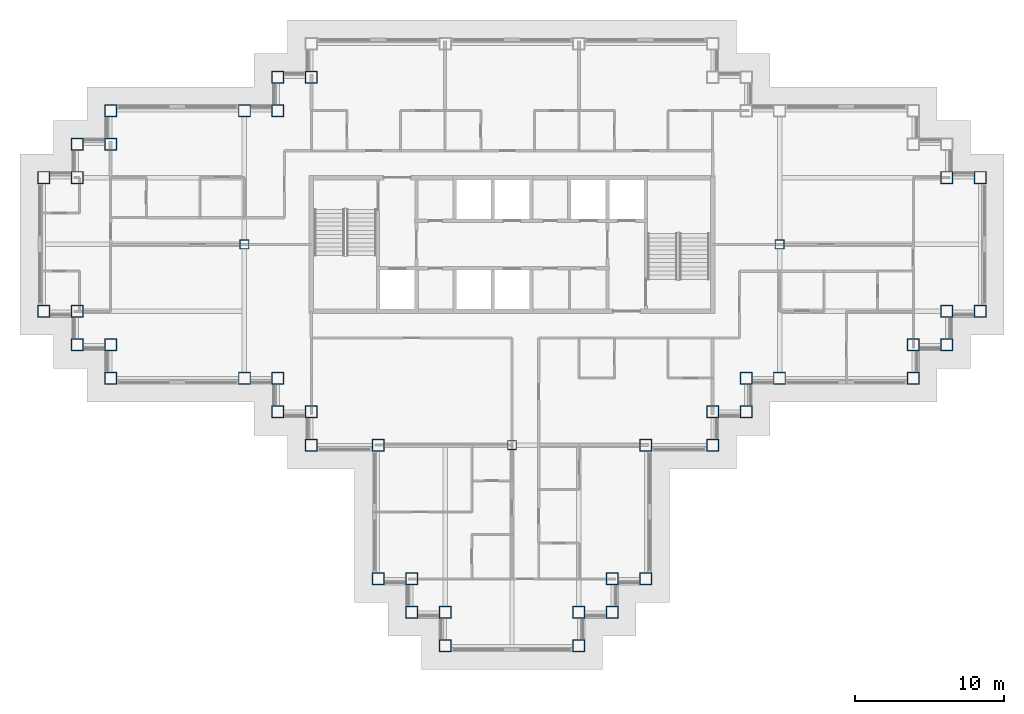
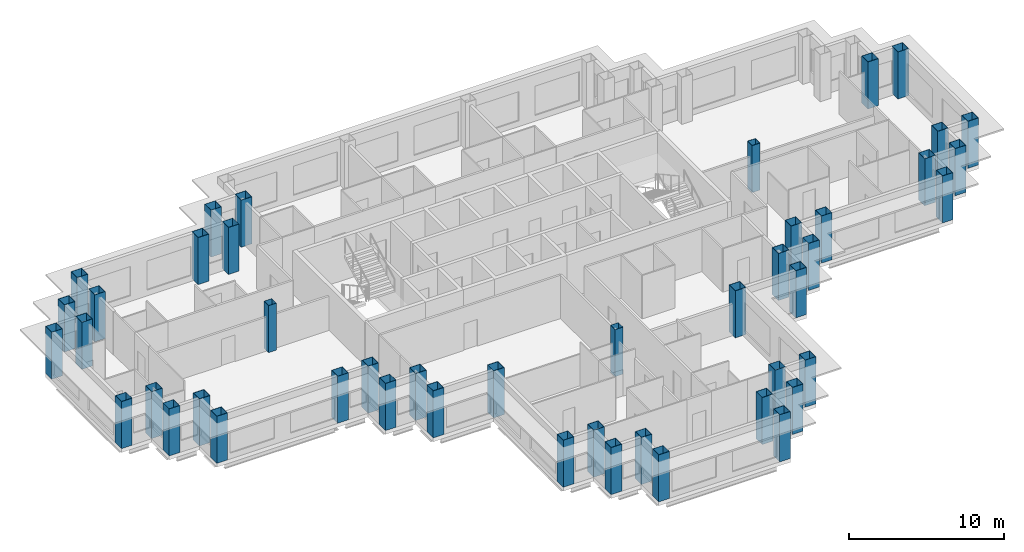
# One storey, part 1 of 13: 46 columns.
"""IFC4 building model written with IfcOpenShell, lengths in metres."""

import ifcopenshell
import ifcopenshell.guid

model = None  # the IFC model being written
_history = None  # IfcOwnerHistory: only IFC2X3 demands one
_inside = {}  # id of a spatial element -> (the spatial element, [elements in it])
_under = {}  # id of a project, library or spatial element -> (it, [spatial elements below it])
_declared = {}  # id of a project -> (the project, [libraries it declares])
_typed = {}  # id of a type object -> (the type object, [elements of that type])
_made_of = {}  # id of a material, layer set ... -> (it, [elements and type objects made of it])


def new_model(schema):
    """Start an empty IFC model of exactly this schema.

    Asked for "IFC4X3", IfcOpenShell would pick the latest addendum, in which some entities
    have other attributes; the version numbers below select the first issue.
    IFC2X3 requires an IfcOwnerHistory on every rooted entity: one is made here for all.
    """
    global model, _history
    if schema == "IFC4X3":
        model = ifcopenshell.file(schema_version=(4, 3, 0, 0))
    else:
        model = ifcopenshell.file(schema=schema)
    _inside.clear()
    _under.clear()
    _declared.clear()
    _typed.clear()
    _made_of.clear()
    _history = None
    if model.schema == "IFC2X3":
        org = make("IfcOrganization", Name="unknown")
        user = make(
            "IfcPersonAndOrganization",
            ThePerson=make("IfcPerson", FamilyName="unknown"),
            TheOrganization=org,
        )
        app = make(
            "IfcApplication",
            ApplicationDeveloper=org,
            Version="unknown",
            ApplicationFullName="unknown",
            ApplicationIdentifier="unknown",
        )
        _history = make(
            "IfcOwnerHistory",
            OwningUser=user,
            OwningApplication=app,
            ChangeAction="ADDED",
            CreationDate=0,
        )
    return model


def make(cls, **values):
    """One entity of the class cls with the attributes given. An attribute that is None is left unset."""
    return model.create_entity(
        cls, **{name: value for name, value in values.items() if value is not None}
    )


def rooted(cls, **values):
    """An entity with a GlobalId (a new one), such as an element, a storey or a relation."""
    return make(cls, GlobalId=ifcopenshell.guid.new(), OwnerHistory=_history, **values)


def si_unit(unit_type, name, prefix=None):
    """IfcSIUnit, for example si_unit("LENGTHUNIT", "METRE", prefix="MILLI")."""
    return make("IfcSIUnit", UnitType=unit_type, Prefix=prefix, Name=name)


def assignment(units):
    """IfcUnitAssignment: the units of a project."""
    return None if units is None else make("IfcUnitAssignment", Units=units)


def point(xyz):
    """IfcCartesianPoint."""
    return None if xyz is None else make("IfcCartesianPoint", Coordinates=xyz)


def direction(xyz):
    """IfcDirection."""
    return None if xyz is None else make("IfcDirection", DirectionRatios=xyz)


def frame(location, z_axis=None, x_axis=None):
    """IfcAxis2Placement3D, a coordinate frame: its origin and axes. An axis left out is left unset."""
    return make(
        "IfcAxis2Placement3D",
        Location=point(location),
        Axis=direction(z_axis),
        RefDirection=direction(x_axis),
    )


def frame_2d(location, x_axis=None):
    """IfcAxis2Placement2D, a coordinate frame in the plane: its origin and x axis."""
    return make(
        "IfcAxis2Placement2D", Location=point(location), RefDirection=direction(x_axis)
    )


def origin():
    """The frame at (0, 0, 0) with its axes left unset."""
    return frame((0.0, 0.0, 0.0))


def origin_2d():
    """The frame at (0, 0) in the plane with its x axis left unset."""
    return frame_2d((0.0, 0.0))


def place(relative_to, where):
    """IfcLocalPlacement: puts the frame where relative to a parent placement (None: the world)."""
    return make(
        "IfcLocalPlacement", PlacementRelTo=relative_to, RelativePlacement=where
    )


def context(
    kind, dimensions, precision=None, world=None, true_north=None, identifier=None
):
    """IfcGeometricRepresentationContext, for example the 3D "Model" context."""
    return make(
        "IfcGeometricRepresentationContext",
        ContextIdentifier=identifier,
        ContextType=kind,
        CoordinateSpaceDimension=dimensions,
        Precision=precision,
        WorldCoordinateSystem=world,
        TrueNorth=true_north,
    )


def subcontext(parent, identifier, kind, view, scale=None):
    """IfcGeometricRepresentationSubContext, for example "Body" below "Model"."""
    return make(
        "IfcGeometricRepresentationSubContext",
        ContextIdentifier=identifier,
        ContextType=kind,
        ParentContext=parent,
        TargetScale=scale,
        TargetView=view,
    )


def project(units=None, contexts=None):
    """IfcProject with its units and contexts."""
    return rooted(
        "IfcProject",
        Name="project",
        RepresentationContexts=contexts,
        UnitsInContext=assignment(units),
    )


def spatial(cls, under=None, at=None, **own):
    """A site, building, storey or space (cls), placed at a placement, below another one or the project."""
    s = rooted(cls, ObjectPlacement=at, **own)
    if under is not None:
        _under.setdefault(under.id(), (under, []))[1].append(s)
    return s


def profile(cls, at=None, kind="AREA", **sizes):
    """A parametric profile (cls). Its sizes go by their IFC names, for example OverallWidth=200.0."""
    return make(cls, ProfileType=kind, Position=at, **sizes)


def hollow_rectangle(**sizes):
    """IfcRectangleHollowProfileDef."""
    return profile("IfcRectangleHollowProfileDef", **sizes)


def extrude(swept, where, along, depth):
    """IfcExtrudedAreaSolid: the profile swept, set in the frame where, extruded along a direction by depth."""
    return make(
        "IfcExtrudedAreaSolid",
        SweptArea=swept,
        Position=where,
        ExtrudedDirection=direction(along),
        Depth=depth,
    )


def shape(context_of_items, identifier, shape_type, items):
    """IfcShapeRepresentation: the items that make up one representation, for example the "Body"."""
    return make(
        "IfcShapeRepresentation",
        ContextOfItems=context_of_items,
        RepresentationIdentifier=identifier,
        RepresentationType=shape_type,
        Items=items,
    )


def material(Name=None, Category=None):
    """IfcMaterial."""
    return make("IfcMaterial", Name=Name, Category=Category)


def material_profile(
    of_material, cross_section, Name=None, Category=None, Priority=None
):
    """IfcMaterialProfile: a cross section and its material."""
    return make(
        "IfcMaterialProfile",
        Name=Name,
        Material=of_material,
        Profile=cross_section,
        Priority=Priority,
        Category=Category,
    )


def profile_set(profiles, Name=None, composite=None):
    """IfcMaterialProfileSet."""
    return make(
        "IfcMaterialProfileSet",
        Name=Name,
        MaterialProfiles=profiles,
        CompositeProfile=composite,
    )


def made_of(thing, what):
    """Note that an element or type object is made of a material, layer set ...; save() writes the relation."""
    if what is not None:
        _made_of.setdefault(what.id(), (what, []))[1].append(thing)
    return thing


def type_object(cls, material=None, **own):
    """A type object (cls), such as IfcWallType, which elements share."""
    return made_of(rooted(cls, **own), material)


def element(
    cls,
    number,
    at=None,
    inside=None,
    cuts=None,
    type_object=None,
    material=None,
    context=None,
    identifier="Body",
    shape_type=None,
    held_by="IfcProductDefinitionShape",
    body=None,
    shapes=None,
    **own,
):
    """One element of the class cls, such as IfcWall. Its Tag is "e" and its number.

    at: its placement. inside: the storey or other place that contains it. cuts: it is an
    opening in that element (IfcRelVoidsElement). A single representation is given by context,
    identifier, shape_type and body (its items); several are given by shapes. held_by: the class
    of the entity that holds the representations. save() writes the other relations.
    """
    e = rooted(cls, Tag="e%d" % number, ObjectPlacement=at, **own)
    if body is not None:
        shapes = [shape(context, identifier, shape_type, body)]
    if shapes is not None:
        e.Representation = make(held_by, Representations=shapes)
    if inside is not None:
        _inside.setdefault(inside.id(), (inside, []))[1].append(e)
    if cuts is not None:
        rooted(
            "IfcRelVoidsElement", RelatingBuildingElement=cuts, RelatedOpeningElement=e
        )
    if type_object is not None:
        _typed.setdefault(type_object.id(), (type_object, []))[1].append(e)
    return made_of(e, material)


def aggregate(whole, parts):
    """IfcRelAggregates: a whole, such as a stair, and the parts it consists of."""
    return rooted("IfcRelAggregates", RelatingObject=whole, RelatedObjects=parts)


def save(model, path):
    """Write the relations noted so far, then the file.

    IfcRelAggregates (storeys below a building ...), IfcRelContainedInSpatialStructure (elements
    in a storey), IfcRelDefinesByType, IfcRelAssociatesMaterial and IfcRelDeclares: one each for
    every whole, place, type object, material and project.
    """
    for whole, parts in _under.values():
        aggregate(whole, parts)
    for where, things in _inside.values():
        rooted(
            "IfcRelContainedInSpatialStructure",
            RelatedElements=things,
            RelatingStructure=where,
        )
    for kind, things in _typed.values():
        rooted("IfcRelDefinesByType", RelatedObjects=things, RelatingType=kind)
    for what, things in _made_of.values():
        rooted("IfcRelAssociatesMaterial", RelatedObjects=things, RelatingMaterial=what)
    for by, libraries in _declared.values():
        rooted("IfcRelDeclares", RelatingContext=by, RelatedDefinitions=libraries)
    model.write(path)


model = new_model("IFC4")

# Units and contexts
model_context = context("Model", 3, precision=1e-05, world=origin(), true_north=direction((0.0, 1.0)))
body_context = subcontext(model_context, "Body", "Model", "MODEL_VIEW")
ifc_project = project(units=[si_unit("LENGTHUNIT", "METRE"), si_unit("AREAUNIT", "SQUARE_METRE"), si_unit("VOLUMEUNIT", "CUBIC_METRE"), si_unit("PLANEANGLEUNIT", "RADIAN"), si_unit("MASSUNIT", "GRAM", prefix="KILO")], contexts=[model_context])

# Site, building, storey
site_placement = place(None, origin())
site = spatial("IfcSite", under=ifc_project, at=site_placement, CompositionType="ELEMENT")
building_placement = place(site_placement, origin())
building = spatial("IfcBuilding", under=site, at=building_placement, Name="Caravel Reach Hotel and Residences", CompositionType="ELEMENT")
storey_placement = place(building_placement, frame((0.0, 0.0, 154.300048828125)))
storey = spatial("IfcBuildingStorey", under=building, at=storey_placement, Name="L38", CompositionType="ELEMENT", Elevation=154.300048828125)

# Columns
ifc_material_1 = material(Name="Concrete-filled steel tube Q390B with Concrete C60 infill", Category="concrete")
ifc_material_profile_1 = material_profile(ifc_material_1, hollow_rectangle(XDim=0.60009765625, YDim=0.60009765625, WallThickness=0.02001953125, at=origin_2d()), Name="RHS 600x600x20")
ifc_profile_set_1 = profile_set([ifc_material_profile_1], Name="Concrete-filled steel tube Q390B with Concrete C60 infill")
column_type_1 = type_object("IfcColumnType", Name="CFT 600x600 Q390B C60", PredefinedType="COLUMN", material=ifc_profile_set_1)
for number, where, z_axis, x_axis, name in (
    (1, (31.5, 13.5, 0.0), (0.0, 0.0, 1.0), (1.0, 0.0, 0.0), "C8 column"),
    (2, (13.5, 27.0, 0.0), (0.0, 0.0, 1.0), (1.0, 0.0, 0.0), "C8 column"),
    (3, (49.5, 27.0, 0.0), (0.0, 0.0, 1.0), (1.0, 0.0, 0.0), "C8 column"),
):
    element("IfcColumn", number, at=place(storey_placement, frame(where, z_axis=z_axis, x_axis=x_axis)), inside=storey, type_object=column_type_1, Name=name, PredefinedType="COLUMN", context=body_context, shape_type="SweptSolid", body=[
        extrude(hollow_rectangle(XDim=0.60009765625, YDim=0.60009765625, WallThickness=0.02001953125, at=origin_2d()), origin(), (0.0, 0.0, 1.0), 3.699951171875),
    ])
ifc_material_2 = material(Name="Concrete-filled steel tube Q390B with Concrete C60 infill", Category="concrete")
ifc_material_profile_2 = material_profile(ifc_material_2, hollow_rectangle(XDim=0.800048828125, YDim=0.800048828125, WallThickness=0.02490234375, at=origin_2d()), Name="RHS 800x800x25")
ifc_profile_set_2 = profile_set([ifc_material_profile_2], Name="Concrete-filled steel tube Q390B with Concrete C60 infill")
column_type_2 = type_object("IfcColumnType", Name="CFT 800x800 Q390B C60", PredefinedType="COLUMN", material=ifc_profile_set_2)
for number, where, z_axis, x_axis, name in (
    (4, (22.5, 4.5, 0.0), (0.0, 0.0, 1.0), (1.0, 0.0, 0.0), "C5 column"),
    (5, (24.75, 4.5, 0.0), (0.0, 0.0, 1.0), (1.0, 0.0, 0.0), "C5 column"),
    (6, (24.75, 2.25, 0.0), (0.0, 0.0, 1.0), (1.0, 0.0, 0.0), "C5 column"),
    (7, (27.0, 2.25, 0.0), (0.0, 0.0, 1.0), (1.0, 0.0, 0.0), "C5 column"),
    (8, (27.0, 0.0, 0.0), (0.0, 0.0, 1.0), (1.0, 0.0, 0.0), "C5 column"),
    (9, (36.0, 0.0, 0.0), (0.0, 0.0, 1.0), (1.0, 0.0, 0.0), "C5 column"),
    (10, (36.0, 2.25, 0.0), (0.0, 0.0, 1.0), (1.0, 0.0, 0.0), "C5 column"),
    (11, (38.25, 2.25, 0.0), (0.0, 0.0, 1.0), (1.0, 0.0, 0.0), "C5 column"),
    (12, (38.25, 4.5, 0.0), (0.0, 0.0, 1.0), (1.0, 0.0, 0.0), "C5 column"),
    (13, (40.5, 4.5, 0.0), (0.0, 0.0, 1.0), (1.0, 0.0, 0.0), "C5 column"),
    (14, (40.5, 13.5, 0.0), (0.0, 0.0, 1.0), (1.0, 0.0, 0.0), "C5 column"),
    (15, (45.0, 13.5, 0.0), (0.0, 0.0, 1.0), (1.0, 0.0, 0.0), "C5 column"),
    (16, (45.0, 15.75, 0.0), (0.0, 0.0, 1.0), (1.0, 0.0, 0.0), "C5 column"),
    (17, (47.25, 15.75, 0.0), (0.0, 0.0, 1.0), (1.0, 0.0, 0.0), "C5 column"),
    (18, (47.25, 18.0, 0.0), (0.0, 0.0, 1.0), (1.0, 0.0, 0.0), "C5 column"),
    (19, (49.5, 18.0, 0.0), (0.0, 0.0, 1.0), (1.0, 0.0, 0.0), "C5 column"),
    (20, (58.5, 18.0, 0.0), (0.0, 0.0, 1.0), (1.0, 0.0, 0.0), "C5 column"),
    (21, (58.5, 20.25, 0.0), (0.0, 0.0, 1.0), (1.0, 0.0, 0.0), "C5 column"),
    (22, (60.75, 20.25, 0.0), (0.0, 0.0, 1.0), (1.0, 0.0, 0.0), "C5 column"),
    (23, (60.75, 22.5, 0.0), (0.0, 0.0, 1.0), (1.0, 0.0, 0.0), "C5 column"),
    (24, (63.0, 22.5, 0.0), (0.0, 0.0, 1.0), (1.0, 0.0, 0.0), "C5 column"),
    (25, (63.0, 31.5, 0.0), (0.0, 0.0, 1.0), (1.0, 0.0, 0.0), "C5 column"),
    (26, (60.75, 31.5, 0.0), (0.0, 0.0, 1.0), (1.0, 0.0, 0.0), "C5 column"),
    (27, (18.0, 38.25, 0.0), (0.0, 0.0, 1.0), (1.0, 0.0, 0.0), "C5 column"),
    (28, (15.75, 38.25, 0.0), (0.0, 0.0, 1.0), (1.0, 0.0, 0.0), "C5 column"),
    (29, (15.75, 36.0, 0.0), (0.0, 0.0, 1.0), (1.0, 0.0, 0.0), "C5 column"),
    (30, (13.5, 36.0, 0.0), (0.0, 0.0, 1.0), (1.0, 0.0, 0.0), "C5 column"),
    (31, (4.5, 36.0, 0.0), (0.0, 0.0, 1.0), (1.0, 0.0, 0.0), "C5 column"),
    (32, (4.5, 33.75, 0.0), (0.0, 0.0, 1.0), (1.0, 0.0, 0.0), "C5 column"),
    (33, (2.25, 33.75, 0.0), (0.0, 0.0, 1.0), (1.0, 0.0, 0.0), "C5 column"),
    (34, (2.25, 31.5, 0.0), (0.0, 0.0, 1.0), (1.0, 0.0, 0.0), "C5 column"),
    (35, (0.0, 31.5, 0.0), (0.0, 0.0, 1.0), (1.0, 0.0, 0.0), "C5 column"),
    (36, (0.0, 22.5, 0.0), (0.0, 0.0, 1.0), (1.0, 0.0, 0.0), "C5 column"),
    (37, (2.25, 22.5, 0.0), (0.0, 0.0, 1.0), (1.0, 0.0, 0.0), "C5 column"),
    (38, (2.25, 20.25, 0.0), (0.0, 0.0, 1.0), (1.0, 0.0, 0.0), "C5 column"),
    (39, (4.5, 20.25, 0.0), (0.0, 0.0, 1.0), (1.0, 0.0, 0.0), "C5 column"),
    (40, (4.5, 18.0, 0.0), (0.0, 0.0, 1.0), (1.0, 0.0, 0.0), "C5 column"),
    (41, (13.5, 18.0, 0.0), (0.0, 0.0, 1.0), (1.0, 0.0, 0.0), "C5 column"),
    (42, (15.75, 18.0, 0.0), (0.0, 0.0, 1.0), (1.0, 0.0, 0.0), "C5 column"),
    (43, (15.75, 15.75, 0.0), (0.0, 0.0, 1.0), (1.0, 0.0, 0.0), "C5 column"),
    (44, (18.0, 15.75, 0.0), (0.0, 0.0, 1.0), (1.0, 0.0, 0.0), "C5 column"),
    (45, (18.0, 13.5, 0.0), (0.0, 0.0, 1.0), (1.0, 0.0, 0.0), "C5 column"),
    (46, (22.5, 13.5, 0.0), (0.0, 0.0, 1.0), (1.0, 0.0, 0.0), "C5 column"),
):
    element("IfcColumn", number, at=place(storey_placement, frame(where, z_axis=z_axis, x_axis=x_axis)), inside=storey, type_object=column_type_2, Name=name, PredefinedType="COLUMN", context=body_context, shape_type="SweptSolid", body=[
        extrude(hollow_rectangle(XDim=0.800048828125, YDim=0.800048828125, WallThickness=0.02490234375, at=origin_2d()), origin(), (0.0, 0.0, 1.0), 3.699951171875),
    ])

save(model, "model.ifc")
